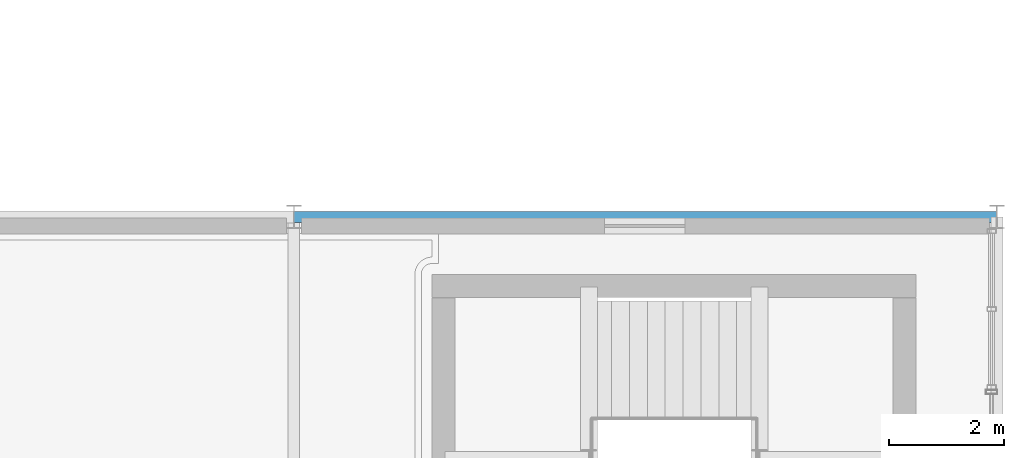
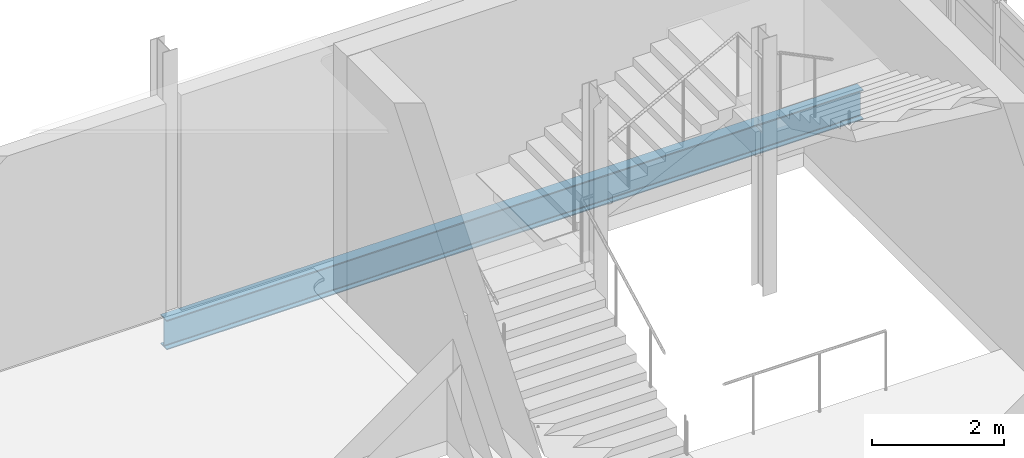
# One storey, part 59 of 102: 1 beam.
"""IFC4 building model written with IfcOpenShell, lengths in metres."""

from ifc_helpers import new_model, si_unit, derived_unit, direction, frame, origin, origin_2d, place, context, subcontext, project, spatial, i_section, extrude, material, material_profile, profile_set, type_object, element, save


model = new_model("IFC4")

# Units and contexts
model_context = context("Model", 3, precision=1e-05, world=origin(), true_north=direction((0.0, 1.0)))
body_context = subcontext(model_context, "Body", "Model", "MODEL_VIEW")
ifc_project = project(units=[si_unit("LENGTHUNIT", "METRE"), si_unit("AREAUNIT", "SQUARE_METRE"), si_unit("VOLUMEUNIT", "CUBIC_METRE"), si_unit("PLANEANGLEUNIT", "RADIAN"), si_unit("MASSUNIT", "GRAM", prefix="KILO"), derived_unit("THERMALTRANSMITTANCEUNIT", [(si_unit("POWERUNIT", "WATT"), 1), (si_unit("LENGTHUNIT", "METRE"), -2), (si_unit("THERMODYNAMICTEMPERATUREUNIT", "KELVIN"), -1)])], contexts=[model_context])

# Site, building, storey
site_placement = place(None, origin())
site = spatial("IfcSite", under=ifc_project, at=site_placement, CompositionType="ELEMENT")
building_placement = place(site_placement, origin())
building = spatial("IfcBuilding", under=site, at=building_placement, Name="Nallur Shell Playhouse", CompositionType="ELEMENT")
storey_placement = place(building_placement, frame((0.0, 0.0, 15.0)))
storey = spatial("IfcBuildingStorey", under=building, at=storey_placement, Name="L04", CompositionType="ELEMENT", Elevation=15.0)

# Beam
ifc_material = material(Name="Steel E350", Category="steel")
ifc_material_profile = material_profile(ifc_material, i_section(OverallWidth=0.18994140625, OverallDepth=0.550048828125, WebThickness=0.01123046875, FlangeThickness=0.019287109375, FilletRadius=0.01806640625, at=origin_2d()), Name="ISMB 550")
ifc_profile_set = profile_set([ifc_material_profile], Name="Steel E350")
beam_type = type_object("IfcBeamType", Name="BM-ST-ISMB550", PredefinedType="BEAM", material=ifc_profile_set)
beam_placement = place(storey_placement, frame((147.60009765625, 56.0, -0.534912109375), z_axis=(1.0, 0.0, 0.0), x_axis=(0.0, 1.0, 0.0)))
element("IfcBeam", 1, at=beam_placement, inside=storey, type_object=beam_type, Name="L04 girder X-G-793", PredefinedType="BEAM", context=body_context, shape_type="SweptSolid", body=[
    extrude(i_section(OverallWidth=0.18994140625, OverallDepth=0.550048828125, WebThickness=0.01123046875, FlangeThickness=0.019287109375, FilletRadius=0.01806640625, at=origin_2d()), origin(), (0.0, 0.0, 1.0), 12.199951171875),
])

save(model, "model.ifc")
